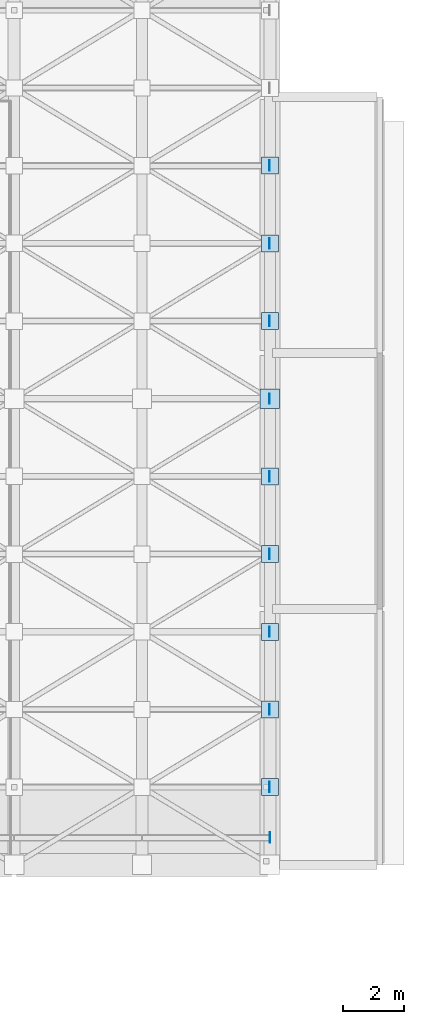
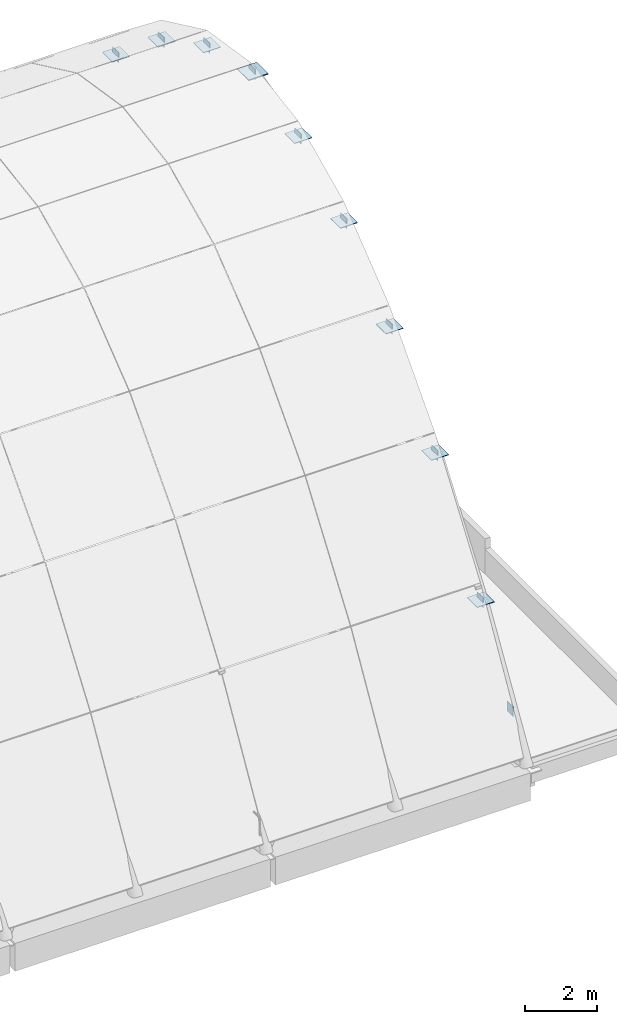
# One storey, part 49 of 128: 19 plates.
"""IFC4 building model written with IfcOpenShell, lengths in metres."""

from ifc_helpers import new_model, si_unit, direction, frame, origin, origin_2d, place, context, subcontext, project, spatial, rectangle, extrude, material, layer, layer_set, type_object, element, save


model = new_model("IFC4")

# Units and contexts
model_context = context("Model", 3, precision=1e-05, world=origin(), true_north=direction((0.0, 1.0)))
body_context = subcontext(model_context, "Body", "Model", "MODEL_VIEW")
ifc_project = project(units=[si_unit("LENGTHUNIT", "METRE"), si_unit("AREAUNIT", "SQUARE_METRE"), si_unit("VOLUMEUNIT", "CUBIC_METRE"), si_unit("PLANEANGLEUNIT", "RADIAN"), si_unit("MASSUNIT", "GRAM", prefix="KILO")], contexts=[model_context])

# Site, building, storey
site_placement = place(None, origin())
site = spatial("IfcSite", under=ifc_project, at=site_placement, CompositionType="ELEMENT")
building_placement = place(site_placement, origin())
building = spatial("IfcBuilding", under=site, at=building_placement, Name="Telukmera Botanical Conservatory", CompositionType="ELEMENT")
storey_placement = place(building_placement, frame((0.0, 0.0, 5.39990234375)))
storey = spatial("IfcBuildingStorey", under=building, at=storey_placement, Name="L01", CompositionType="ELEMENT", Elevation=5.39990234375)

# Plates
ifc_material = material(Name="Steel S355", Category="steel")
ifc_layer_1 = layer(ifc_material, 0.01611328125)
ifc_layer_set_1 = layer_set([ifc_layer_1], Name="Steel S355")
plate_type_1 = type_object("IfcPlateType", Name="Plate_CP1", PredefinedType="USERDEFINED", material=ifc_layer_set_1)
for number, where, z_axis, x_axis, name in (
    (1, (168.0, 18.492431640625, 1.21435546875), (0.0, 0.0, 1.0), (1.0, 0.0, 0.0), "CP1 Gridshell Gable Rib End Cap 12-00"),
    (2, (167.988037109375, 20.14990234375, 3.93310546875), (0.0, 0.0, 1.0), (1.0, 0.0, 0.0), "CP1 Gridshell Gable Rib End Cap 12-01"),
    (3, (167.988037109375, 22.699951171875, 7.408203125), (0.0, 0.0, 1.0), (1.0, 0.0, 0.0), "CP1 Gridshell Gable Rib End Cap 12-02"),
    (4, (167.988037109375, 25.25, 10.17578125), (0.0, 0.0, 1.0), (1.0, 0.0, 0.0), "CP1 Gridshell Gable Rib End Cap 12-03"),
    (5, (167.988037109375, 27.800048828125, 12.23486328125), (0.0, 0.0, 1.0), (1.0, 0.0, 0.0), "CP1 Gridshell Gable Rib End Cap 12-04"),
    (6, (167.988037109375, 30.35009765625, 13.58642578125), (0.0, 0.0, 1.0), (1.0, 0.0, 0.0), "CP1 Gridshell Gable Rib End Cap 12-05"),
    (7, (167.988037109375, 32.89990234375, 14.22998046875), (0.0, 0.0, 1.0), (1.0, 0.0, 0.0), "CP1 Gridshell Gable Rib End Cap 12-06"),
    (8, (167.988037109375, 35.449951171875, 13.58642578125), (0.0, 0.0, 1.0), (1.0, 0.0, 0.0), "CP1 Gridshell Gable Rib End Cap 12-07"),
    (9, (167.988037109375, 38.0, 12.23486328125), (0.0, 0.0, 1.0), (1.0, 0.0, 0.0), "CP1 Gridshell Gable Rib End Cap 12-08"),
    (10, (167.988037109375, 40.550048828125, 10.17578125), (0.0, 0.0, 1.0), (1.0, 0.0, 0.0), "CP1 Gridshell Gable Rib End Cap 12-09"),
):
    element("IfcPlate", number, at=place(storey_placement, frame(where, z_axis=z_axis, x_axis=x_axis)), inside=storey, type_object=plate_type_1, Name=name, ObjectType="CAP_PLATE", PredefinedType="USERDEFINED", context=body_context, shape_type="SweptSolid", body=[
        extrude(rectangle(XDim=0.01611328125, YDim=0.340087890625, at=origin_2d()), origin(), (0.0, 0.0, 1.0), 0.340087890625),
    ])
ifc_layer_2 = layer(ifc_material, 0.031982421875)
ifc_layer_set_2 = layer_set([ifc_layer_2], Name="Steel S355")
plate_type_2 = type_object("IfcPlateType", Name="Plate_GN1", PredefinedType="USERDEFINED", material=ifc_layer_set_2)
plate_placement = place(storey_placement, frame((168.0, 32.89990234375, 14.38427734375), z_axis=(0.0, 0.0, 1.0), x_axis=(1.0, 0.0, 0.0)))
element("IfcPlate", 11, at=plate_placement, inside=storey, type_object=plate_type_2, Name="GN1 Gridshell Welded Node Drum (12-06)", ObjectType="GUSSET_PLATE", PredefinedType="USERDEFINED", context=body_context, shape_type="SweptSolid", body=[
    extrude(rectangle(XDim=0.639892578125, YDim=0.639892578125, at=origin_2d()), origin(), (0.0, 0.0, 1.0), 0.031982421875),
])
ifc_layer_3 = layer(ifc_material, 0.02001953125)
ifc_layer_set_3 = layer_set([ifc_layer_3], Name="Steel S355")
plate_type_3 = type_object("IfcPlateType", Name="Plate_GN3", PredefinedType="USERDEFINED", material=ifc_layer_set_3)
for number, where, z_axis, x_axis, name in (
    (12, (168.0, 20.14990234375, 4.09326171875), (0.0, 0.0, 1.0), (1.0, 0.0, 0.0), "GN3 Gridshell Welded Node Drum (12-01)"),
    (13, (168.0, 22.699951171875, 7.568359375), (0.0, 0.0, 1.0), (1.0, 0.0, 0.0), "GN3 Gridshell Welded Node Drum (12-02)"),
    (14, (168.0, 25.25, 10.335693359375), (0.0, 0.0, 1.0), (1.0, 0.0, 0.0), "GN3 Gridshell Welded Node Drum (12-03)"),
    (15, (168.0, 27.800048828125, 12.39501953125), (0.0, 0.0, 1.0), (1.0, 0.0, 0.0), "GN3 Gridshell Welded Node Drum (12-04)"),
    (16, (168.0, 30.35009765625, 13.74658203125), (0.0, 0.0, 1.0), (1.0, 0.0, 0.0), "GN3 Gridshell Welded Node Drum (12-05)"),
    (17, (168.0, 35.449951171875, 13.74658203125), (0.0, 0.0, 1.0), (1.0, 0.0, 0.0), "GN3 Gridshell Welded Node Drum (12-07)"),
    (18, (168.0, 38.0, 12.39501953125), (0.0, 0.0, 1.0), (1.0, 0.0, 0.0), "GN3 Gridshell Welded Node Drum (12-08)"),
    (19, (168.0, 40.550048828125, 10.335693359375), (0.0, 0.0, 1.0), (1.0, 0.0, 0.0), "GN3 Gridshell Welded Node Drum (12-09)"),
):
    element("IfcPlate", number, at=place(storey_placement, frame(where, z_axis=z_axis, x_axis=x_axis)), inside=storey, type_object=plate_type_3, Name=name, ObjectType="GUSSET_PLATE", PredefinedType="USERDEFINED", context=body_context, shape_type="SweptSolid", body=[
        extrude(rectangle(XDim=0.56005859375, YDim=0.56005859375, at=origin_2d()), origin(), (0.0, 0.0, 1.0), 0.02001953125),
    ])

save(model, "model.ifc")
